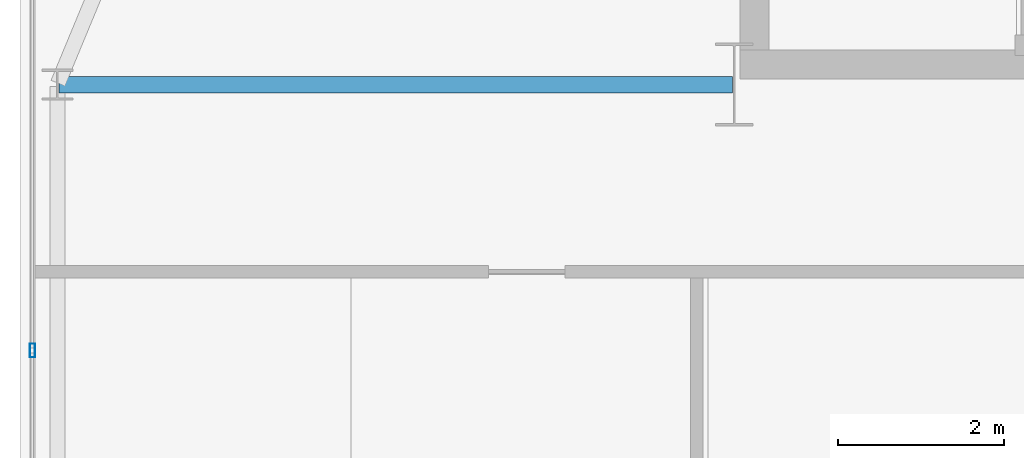
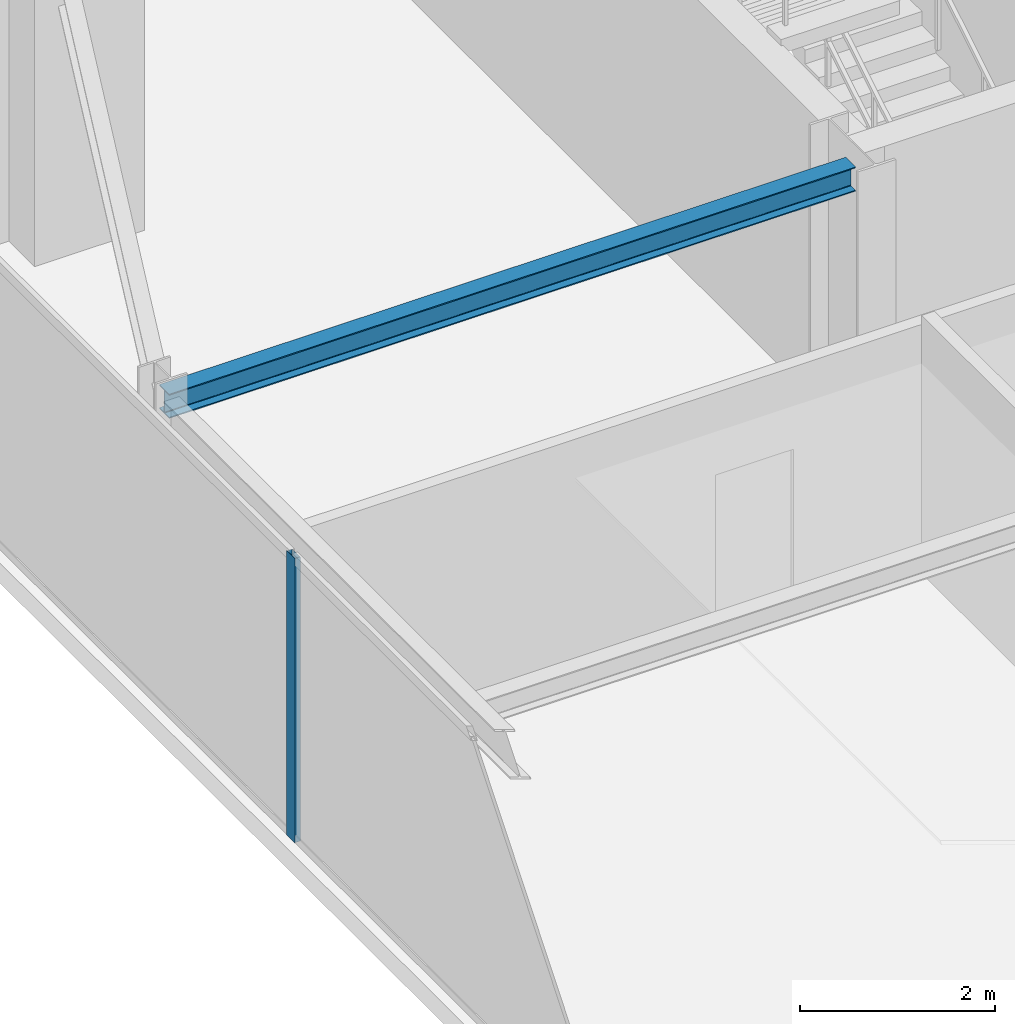
# One storey, part 12 of 31: 1 beam, 1 member, 1 element without a shape of its own.
"""IFC4 building model written with IfcOpenShell, lengths in metres."""

from ifc_helpers import new_model, si_unit, direction, frame, origin, origin_2d, place, context, subcontext, project, spatial, hollow_rectangle, i_section, extrude, source, transform, mapped, material, layer, layer_set, material_profile, profile_set, type_object, type_shapes, element, aggregate, save


model = new_model("IFC4")

# Units and contexts
model_context = context("Model", 3, precision=1e-05, world=origin(), true_north=direction((0.0, 1.0)))
body_context = subcontext(model_context, "Body", "Model", "MODEL_VIEW")
ifc_project = project(units=[si_unit("LENGTHUNIT", "METRE"), si_unit("AREAUNIT", "SQUARE_METRE"), si_unit("VOLUMEUNIT", "CUBIC_METRE"), si_unit("PLANEANGLEUNIT", "RADIAN"), si_unit("MASSUNIT", "GRAM", prefix="KILO")], contexts=[model_context])

# Site, building, storey
site_placement = place(None, origin())
site = spatial("IfcSite", under=ifc_project, at=site_placement, CompositionType="ELEMENT")
building_placement = place(site_placement, origin())
building = spatial("IfcBuilding", under=site, at=building_placement, Name="Varnel Quay Broadcast Tower", CompositionType="ELEMENT")
storey_placement = place(building_placement, frame((0.0, 0.0, 183.800048828125)))
storey = spatial("IfcBuildingStorey", under=building, at=storey_placement, Name="L45", CompositionType="ELEMENT", Elevation=183.800048828125)

# Beam
ifc_material_1 = material(Name="Structural Steel CSA G40.21 350W", Category="steel")
ifc_material_profile_1 = material_profile(ifc_material_1, i_section(OverallWidth=0.202880859375, OverallDepth=0.302978515625, WebThickness=0.007568359375, FlangeThickness=0.01318359375, FilletRadius=0.011962890625, at=origin_2d()), Name="W310X60")
ifc_profile_set_1 = profile_set([ifc_material_profile_1], Name="Structural Steel CSA G40.21 350W")
beam_type = type_object("IfcBeamType", Name="Beam_W310X60", PredefinedType="JOIST", material=ifc_profile_set_1)
shared_shape_1 = source(origin(), body_context, "Body", "SweptSolid", [
    extrude(i_section(OverallWidth=0.202880859375, OverallDepth=0.302978515625, WebThickness=0.007568359375, FlangeThickness=0.01318359375, FilletRadius=0.011962890625, at=origin_2d()), origin(), (0.0, 0.0, 1.0), 8.110107421875),
])
type_shapes(beam_type, [shared_shape_1])
beam_placement = place(storey_placement, frame((7.469970703125, 35.60009765625, 3.3984375), z_axis=(1.0, 0.0, 0.0), x_axis=(0.0, 1.0, 0.0)))
element("IfcBeam", 1, at=beam_placement, inside=storey, type_object=beam_type, Name="L45 West Core Tie Joist", PredefinedType="JOIST", context=body_context, shape_type="MappedRepresentation", body=[
    mapped(shared_shape_1, transform((0.0, 0.0, 0.0), x_axis=(1.0, 0.0, 0.0), y_axis=(0.0, 1.0, 0.0), z_axis=(0.0, 0.0, 1.0), scale=1.0)),
])

# Curtain wall, member
ifc_material_2 = material(Name="Anodised Bronze Aluminium 6063-T6", Category="aluminium")
ifc_layer = layer(ifc_material_2, 0.18994140625, Name="Anodised Bronze Aluminium 6063-T6")
ifc_layer_set = layer_set([ifc_layer], Name="Anodised Bronze Aluminium 6063-T6")
curtain_wall_type = type_object("IfcCurtainWallType", Name="CW_UpperTower", PredefinedType="NOTDEFINED", material=ifc_layer_set)
curtain_wall_placement = place(storey_placement, origin())
curtain_wall = element("IfcCurtainWall", 2, at=curtain_wall_placement, inside=storey, type_object=curtain_wall_type, Name="L45 West Unitised Curtain Wall", PredefinedType="NOTDEFINED")
ifc_material_profile_2 = material_profile(ifc_material_2, hollow_rectangle(XDim=0.06494140625, YDim=0.1650390625, WallThickness=0.00341796875, at=origin_2d()), Name="ALU65X165X3.5")
ifc_profile_set_2 = profile_set([ifc_material_profile_2], Name="Anodised Bronze Aluminium 6063-T6")
member_type = type_object("IfcMemberType", Name="Mull_CWS-03", PredefinedType="MULLION", material=ifc_profile_set_2)
shared_shape_2 = source(origin(), body_context, "Body", "SweptSolid", [
    extrude(hollow_rectangle(XDim=0.06494140625, YDim=0.1650390625, WallThickness=0.00341796875, at=origin_2d()), origin(), (0.0, 0.0, 1.0), 3.550048828125),
])
type_shapes(member_type, [shared_shape_2])
member_placement = place(storey_placement, frame((7.14990234375, 32.39990234375, 0.0), z_axis=(0.0, 0.0, 1.0), x_axis=(-1.0, 0.0, 0.0)))
member = element("IfcMember", 3, at=member_placement, type_object=member_type, Name="CWS-03 mullion 3", PredefinedType="MULLION", context=body_context, shape_type="MappedRepresentation", body=[
    mapped(shared_shape_2, transform((0.0, 0.0, 0.0), x_axis=(1.0, 0.0, 0.0), y_axis=(0.0, 1.0, 0.0), z_axis=(0.0, 0.0, 1.0), scale=1.0)),
])
aggregate(curtain_wall, [member])

save(model, "model.ifc")
